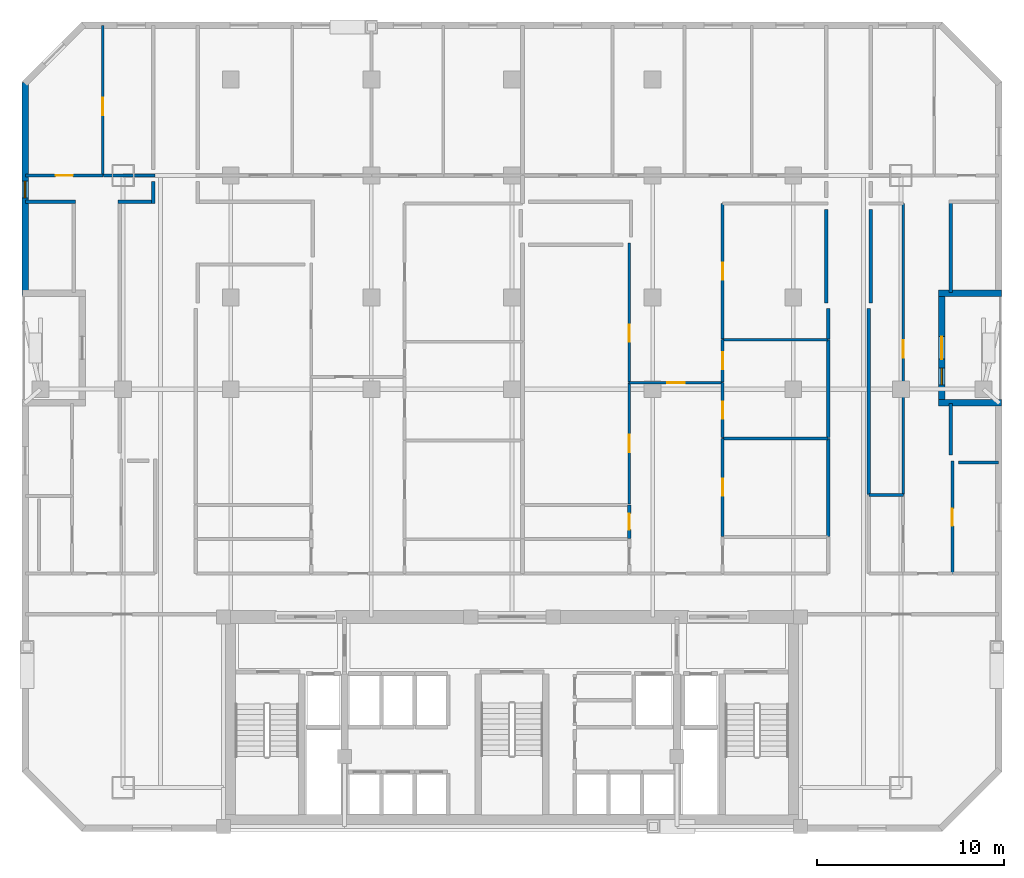
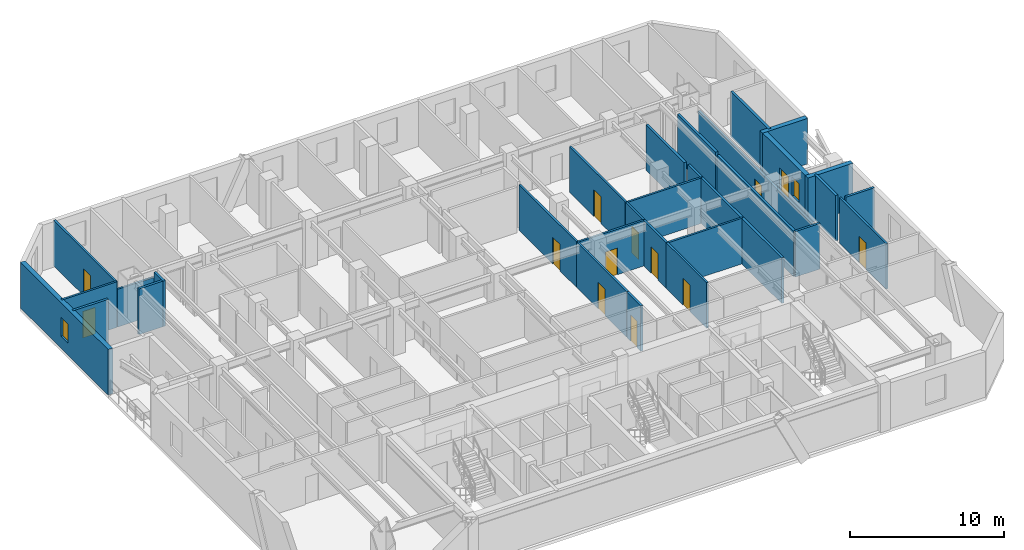
# One storey, part 6 of 10: 32 walls, 13 doors, 2 windows, 15 openings.
"""IFC4 building model written with IfcOpenShell, lengths in metres."""

import ifcopenshell
import ifcopenshell.guid

model = None  # the IFC model being written
_history = None  # IfcOwnerHistory: only IFC2X3 demands one
_inside = {}  # id of a spatial element -> (the spatial element, [elements in it])
_under = {}  # id of a project, library or spatial element -> (it, [spatial elements below it])
_declared = {}  # id of a project -> (the project, [libraries it declares])
_typed = {}  # id of a type object -> (the type object, [elements of that type])
_made_of = {}  # id of a material, layer set ... -> (it, [elements and type objects made of it])


def new_model(schema):
    """Start an empty IFC model of exactly this schema.

    Asked for "IFC4X3", IfcOpenShell would pick the latest addendum, in which some entities
    have other attributes; the version numbers below select the first issue.
    IFC2X3 requires an IfcOwnerHistory on every rooted entity: one is made here for all.
    """
    global model, _history
    if schema == "IFC4X3":
        model = ifcopenshell.file(schema_version=(4, 3, 0, 0))
    else:
        model = ifcopenshell.file(schema=schema)
    _inside.clear()
    _under.clear()
    _declared.clear()
    _typed.clear()
    _made_of.clear()
    _history = None
    if model.schema == "IFC2X3":
        org = make("IfcOrganization", Name="unknown")
        user = make(
            "IfcPersonAndOrganization",
            ThePerson=make("IfcPerson", FamilyName="unknown"),
            TheOrganization=org,
        )
        app = make(
            "IfcApplication",
            ApplicationDeveloper=org,
            Version="unknown",
            ApplicationFullName="unknown",
            ApplicationIdentifier="unknown",
        )
        _history = make(
            "IfcOwnerHistory",
            OwningUser=user,
            OwningApplication=app,
            ChangeAction="ADDED",
            CreationDate=0,
        )
    return model


def make(cls, **values):
    """One entity of the class cls with the attributes given. An attribute that is None is left unset."""
    return model.create_entity(
        cls, **{name: value for name, value in values.items() if value is not None}
    )


def rooted(cls, **values):
    """An entity with a GlobalId (a new one), such as an element, a storey or a relation."""
    return make(cls, GlobalId=ifcopenshell.guid.new(), OwnerHistory=_history, **values)


def si_unit(unit_type, name, prefix=None):
    """IfcSIUnit, for example si_unit("LENGTHUNIT", "METRE", prefix="MILLI")."""
    return make("IfcSIUnit", UnitType=unit_type, Prefix=prefix, Name=name)


def assignment(units):
    """IfcUnitAssignment: the units of a project."""
    return None if units is None else make("IfcUnitAssignment", Units=units)


def point(xyz):
    """IfcCartesianPoint."""
    return None if xyz is None else make("IfcCartesianPoint", Coordinates=xyz)


def direction(xyz):
    """IfcDirection."""
    return None if xyz is None else make("IfcDirection", DirectionRatios=xyz)


def frame(location, z_axis=None, x_axis=None):
    """IfcAxis2Placement3D, a coordinate frame: its origin and axes. An axis left out is left unset."""
    return make(
        "IfcAxis2Placement3D",
        Location=point(location),
        Axis=direction(z_axis),
        RefDirection=direction(x_axis),
    )


def frame_2d(location, x_axis=None):
    """IfcAxis2Placement2D, a coordinate frame in the plane: its origin and x axis."""
    return make(
        "IfcAxis2Placement2D", Location=point(location), RefDirection=direction(x_axis)
    )


def origin():
    """The frame at (0, 0, 0) with its axes left unset."""
    return frame((0.0, 0.0, 0.0))


def place(relative_to, where):
    """IfcLocalPlacement: puts the frame where relative to a parent placement (None: the world)."""
    return make(
        "IfcLocalPlacement", PlacementRelTo=relative_to, RelativePlacement=where
    )


def context(
    kind, dimensions, precision=None, world=None, true_north=None, identifier=None
):
    """IfcGeometricRepresentationContext, for example the 3D "Model" context."""
    return make(
        "IfcGeometricRepresentationContext",
        ContextIdentifier=identifier,
        ContextType=kind,
        CoordinateSpaceDimension=dimensions,
        Precision=precision,
        WorldCoordinateSystem=world,
        TrueNorth=true_north,
    )


def subcontext(parent, identifier, kind, view, scale=None):
    """IfcGeometricRepresentationSubContext, for example "Body" below "Model"."""
    return make(
        "IfcGeometricRepresentationSubContext",
        ContextIdentifier=identifier,
        ContextType=kind,
        ParentContext=parent,
        TargetScale=scale,
        TargetView=view,
    )


def project(units=None, contexts=None):
    """IfcProject with its units and contexts."""
    return rooted(
        "IfcProject",
        Name="project",
        RepresentationContexts=contexts,
        UnitsInContext=assignment(units),
    )


def spatial(cls, under=None, at=None, **own):
    """A site, building, storey or space (cls), placed at a placement, below another one or the project."""
    s = rooted(cls, ObjectPlacement=at, **own)
    if under is not None:
        _under.setdefault(under.id(), (under, []))[1].append(s)
    return s


def profile(cls, at=None, kind="AREA", **sizes):
    """A parametric profile (cls). Its sizes go by their IFC names, for example OverallWidth=200.0."""
    return make(cls, ProfileType=kind, Position=at, **sizes)


def rectangle(**sizes):
    """IfcRectangleProfileDef."""
    return profile("IfcRectangleProfileDef", **sizes)


def extrude(swept, where, along, depth):
    """IfcExtrudedAreaSolid: the profile swept, set in the frame where, extruded along a direction by depth."""
    return make(
        "IfcExtrudedAreaSolid",
        SweptArea=swept,
        Position=where,
        ExtrudedDirection=direction(along),
        Depth=depth,
    )


def shape(context_of_items, identifier, shape_type, items):
    """IfcShapeRepresentation: the items that make up one representation, for example the "Body"."""
    return make(
        "IfcShapeRepresentation",
        ContextOfItems=context_of_items,
        RepresentationIdentifier=identifier,
        RepresentationType=shape_type,
        Items=items,
    )


def material(Name=None, Category=None):
    """IfcMaterial."""
    return make("IfcMaterial", Name=Name, Category=Category)


def layer(
    of_material, thickness, ventilated=None, Name=None, Category=None, Priority=None
):
    """IfcMaterialLayer: one layer of a wall or slab, of a material (None: an air gap)."""
    return make(
        "IfcMaterialLayer",
        Material=of_material,
        LayerThickness=thickness,
        IsVentilated=ventilated,
        Name=Name,
        Category=Category,
        Priority=Priority,
    )


def layer_set(layers, Name=None):
    """IfcMaterialLayerSet."""
    return make("IfcMaterialLayerSet", MaterialLayers=layers, LayerSetName=Name)


def made_of(thing, what):
    """Note that an element or type object is made of a material, layer set ...; save() writes the relation."""
    if what is not None:
        _made_of.setdefault(what.id(), (what, []))[1].append(thing)
    return thing


def type_object(cls, material=None, **own):
    """A type object (cls), such as IfcWallType, which elements share."""
    return made_of(rooted(cls, **own), material)


def element(
    cls,
    number,
    at=None,
    inside=None,
    cuts=None,
    type_object=None,
    material=None,
    context=None,
    identifier="Body",
    shape_type=None,
    held_by="IfcProductDefinitionShape",
    body=None,
    shapes=None,
    **own,
):
    """One element of the class cls, such as IfcWall. Its Tag is "e" and its number.

    at: its placement. inside: the storey or other place that contains it. cuts: it is an
    opening in that element (IfcRelVoidsElement). A single representation is given by context,
    identifier, shape_type and body (its items); several are given by shapes. held_by: the class
    of the entity that holds the representations. save() writes the other relations.
    """
    e = rooted(cls, Tag="e%d" % number, ObjectPlacement=at, **own)
    if body is not None:
        shapes = [shape(context, identifier, shape_type, body)]
    if shapes is not None:
        e.Representation = make(held_by, Representations=shapes)
    if inside is not None:
        _inside.setdefault(inside.id(), (inside, []))[1].append(e)
    if cuts is not None:
        rooted(
            "IfcRelVoidsElement", RelatingBuildingElement=cuts, RelatedOpeningElement=e
        )
    if type_object is not None:
        _typed.setdefault(type_object.id(), (type_object, []))[1].append(e)
    return made_of(e, material)


def fill(opening, filler):
    """IfcRelFillsElement: the door or window that sits in an opening."""
    return rooted(
        "IfcRelFillsElement",
        RelatingOpeningElement=opening,
        RelatedBuildingElement=filler,
    )


def aggregate(whole, parts):
    """IfcRelAggregates: a whole, such as a stair, and the parts it consists of."""
    return rooted("IfcRelAggregates", RelatingObject=whole, RelatedObjects=parts)


def save(model, path):
    """Write the relations noted so far, then the file.

    IfcRelAggregates (storeys below a building ...), IfcRelContainedInSpatialStructure (elements
    in a storey), IfcRelDefinesByType, IfcRelAssociatesMaterial and IfcRelDeclares: one each for
    every whole, place, type object, material and project.
    """
    for whole, parts in _under.values():
        aggregate(whole, parts)
    for where, things in _inside.values():
        rooted(
            "IfcRelContainedInSpatialStructure",
            RelatedElements=things,
            RelatingStructure=where,
        )
    for kind, things in _typed.values():
        rooted("IfcRelDefinesByType", RelatedObjects=things, RelatingType=kind)
    for what, things in _made_of.values():
        rooted("IfcRelAssociatesMaterial", RelatedObjects=things, RelatingMaterial=what)
    for by, libraries in _declared.values():
        rooted("IfcRelDeclares", RelatingContext=by, RelatedDefinitions=libraries)
    model.write(path)


model = new_model("IFC4")

# Units and contexts
model_context = context("Model", 3, precision=1e-05, world=origin(), true_north=direction((0.0, 1.0)))
body_context = subcontext(model_context, "Body", "Model", "MODEL_VIEW")
ifc_project = project(units=[si_unit("LENGTHUNIT", "METRE"), si_unit("AREAUNIT", "SQUARE_METRE"), si_unit("VOLUMEUNIT", "CUBIC_METRE"), si_unit("PLANEANGLEUNIT", "RADIAN"), si_unit("MASSUNIT", "GRAM", prefix="KILO")], contexts=[model_context])

# Site, building, storey
site_placement = place(None, origin())
site = spatial("IfcSite", under=ifc_project, at=site_placement, CompositionType="ELEMENT")
building_placement = place(site_placement, origin())
building = spatial("IfcBuilding", under=site, at=building_placement, Name="Ventersveld Concourse Tower", CompositionType="ELEMENT")
storey_placement = place(building_placement, frame((0.0, 0.0, 104.14990234375)))
storey = spatial("IfcBuildingStorey", under=building, at=storey_placement, Name="L25", CompositionType="ELEMENT", Elevation=104.14990234375)

# Walls
ifc_material_1 = material(Name="Fire-rated autoclaved aerated masonry blockwork", Category="masonry")
ifc_layer_1 = layer(ifc_material_1, 0.179931640625)
ifc_layer_set_1 = layer_set([ifc_layer_1], Name="Fire-rated autoclaved aerated masonry blockwork")
wall_type_1 = type_object("IfcWallType", Name="WL-CORR-180", PredefinedType="PARTITIONING", material=ifc_layer_set_1)
wall_1_placement = place(storey_placement, frame((47.7900390625, 17.9921875, 0.0), z_axis=(0.0, 0.0, 1.0), x_axis=(0.0, 1.0, 0.0)))
element("IfcWall", 1, at=wall_1_placement, inside=storey, type_object=wall_type_1, Name="L25 Interior Partition SP-L25-COR-SP-L25-25NE-MEDL0", PredefinedType="PARTITIONING", context=body_context, shape_type="SweptSolid", body=[
    extrude(rectangle(XDim=9.90283203125, YDim=0.179931640625, at=frame_2d((4.951416015625, 0.0))), origin(), (0.0, 0.0, 1.0), 3.60009765625),
])
for number, where, z_axis, x_axis, name in (
    (2, (45.610107421875, 15.748291015625, 0.0), (0.0, 0.0, 1.0), (0.0, 1.0, 0.0), "L25 Interior Partition SP-L25-COR-SP-L25-25N2-DENR"),
    (3, (45.610107421875, 21.011962890625, 0.0), (0.0, 0.0, 1.0), (0.0, 1.0, 0.0), "L25 Interior Partition SP-L25-COR-SP-L25-25N2-DENS"),
):
    element("IfcWall", number, at=place(storey_placement, frame(where, z_axis=z_axis, x_axis=x_axis)), inside=storey, type_object=wall_type_1, Name=name, PredefinedType="PARTITIONING", context=body_context, shape_type="SweptSolid", body=[
        extrude(rectangle(XDim=5.233642578125, YDim=0.179931640625, at=frame_2d((2.61669921875, 0.0))), origin(), (0.0, 0.0, 1.0), 3.60009765625),
    ])
wall_2_placement = place(storey_placement, frame((45.610107421875, 26.275634765625, 0.0), z_axis=(0.0, 0.0, 1.0), x_axis=(0.0, 1.0, 0.0)))
element("IfcWall", 4, at=wall_2_placement, inside=storey, type_object=wall_type_1, Name="L25 Interior Partition SP-L25-COR-SP-L25-25N2-DENS2", PredefinedType="PARTITIONING", context=body_context, shape_type="SweptSolid", body=[
    extrude(rectangle(XDim=1.619384765625, YDim=0.179931640625, at=frame_2d((0.8095703125, 0.0))), origin(), (0.0, 0.0, 1.0), 3.60009765625),
])
wall_3_placement = place(storey_placement, frame((5.46728515625, 33.590087890625, 0.0), z_axis=(0.0, 0.0, 1.0), x_axis=(-1.0, 0.0, 0.0)))
element("IfcWall", 5, at=wall_3_placement, inside=storey, type_object=wall_type_1, Name="L25 Room Enclosure Wall SP-L25-25NW-LIV", PredefinedType="PARTITIONING", context=body_context, shape_type="SweptSolid", body=[
    extrude(rectangle(XDim=2.6572265625, YDim=0.179931640625, at=frame_2d((1.32861328125, 0.0))), origin(), (0.0, 0.0, 1.0), 3.60009765625),
])
wall_4_placement = place(storey_placement, frame((9.6201171875, 34.675048828125, 0.0), z_axis=(0.0, 0.0, 1.0), x_axis=(0.0, -1.0, 0.0)))
element("IfcWall", 6, at=wall_4_placement, inside=storey, type_object=wall_type_1, Name="L25 Room Enclosure Wall SP-L25-25NW-LIV", PredefinedType="PARTITIONING", context=body_context, shape_type="SweptSolid", body=[
    extrude(rectangle(XDim=1.179931640625, YDim=0.179931640625, at=frame_2d((0.58984375, 0.0))), origin(), (0.0, 0.0, 1.0), 3.60009765625),
])
wall_5_placement = place(storey_placement, frame((9.715087890625, 33.590087890625, 0.0), z_axis=(0.0, 0.0, 1.0), x_axis=(-1.0, 0.0, 0.0)))
element("IfcWall", 7, at=wall_5_placement, inside=storey, type_object=wall_type_1, Name="L25 Room Enclosure Wall SP-L25-25NW-LIV", PredefinedType="PARTITIONING", context=body_context, shape_type="SweptSolid", body=[
    extrude(rectangle(XDim=1.99169921875, YDim=0.179931640625, at=frame_2d((0.995849609375, 0.0))), origin(), (0.0, 0.0, 1.0), 3.60009765625),
])
wall_6_placement = place(storey_placement, frame((52.153076171875, 33.68505859375, 0.0), z_axis=(0.0, 0.0, 1.0), x_axis=(0.0, -1.0, 0.0)))
element("IfcWall", 8, at=wall_6_placement, inside=storey, type_object=wall_type_1, Name="L25 Room Enclosure Wall SP-L25-25NE-LIV", PredefinedType="PARTITIONING", context=body_context, shape_type="SweptSolid", body=[
    extrude(rectangle(XDim=4.925048828125, YDim=0.179931640625, at=frame_2d((2.46240234375, 0.0))), origin(), (0.0, 0.0, 1.0), 3.60009765625),
])
wall_7_placement = place(storey_placement, frame((52.153076171875, 22.840087890625, 0.0), z_axis=(0.0, 0.0, 1.0), x_axis=(0.0, -1.0, 0.0)))
element("IfcWall", 9, at=wall_7_placement, inside=storey, type_object=wall_type_1, Name="L25 Room Enclosure Wall SP-L25-25NE-LIV", PredefinedType="PARTITIONING", context=body_context, shape_type="SweptSolid", body=[
    extrude(rectangle(XDim=2.741455078125, YDim=0.179931640625, at=frame_2d((1.37060546875, 0.0))), origin(), (0.0, 0.0, 1.0), 3.60009765625),
])
wall_8_placement = place(storey_placement, frame((47.8798828125, 28.2099609375, 0.0), z_axis=(0.0, 0.0, 1.0), x_axis=(0.0, 1.0, 0.0)))
element("IfcWall", 10, at=wall_8_placement, inside=storey, type_object=wall_type_1, Name="L25 Room Enclosure Wall SP-L25-25NE-MEDL0", PredefinedType="PARTITIONING", context=body_context, shape_type="SweptSolid", body=[
    extrude(rectangle(XDim=4.965087890625, YDim=0.179931640625, at=frame_2d((2.482421875, 0.0))), origin(), (0.0, 0.0, 1.0), 3.60009765625),
])
wall_9_placement = place(storey_placement, frame((52.568115234375, 19.688720703125, 0.0), z_axis=(0.0, 0.0, 1.0), x_axis=(1.0, 0.0, 0.0)))
element("IfcWall", 11, at=wall_9_placement, inside=storey, type_object=wall_type_1, Name="L25 Room Enclosure Wall SP-L25-25NE-KIT", PredefinedType="PARTITIONING", context=body_context, shape_type="SweptSolid", body=[
    extrude(rectangle(XDim=2.121826171875, YDim=0.179931640625, at=frame_2d((1.06103515625, 0.0))), origin(), (0.0, 0.0, 1.0), 3.60009765625),
])
wall_10_placement = place(storey_placement, frame((45.52001953125, 33.175048828125, 0.0), z_axis=(0.0, 0.0, 1.0), x_axis=(0.0, -1.0, 0.0)))
element("IfcWall", 12, at=wall_10_placement, inside=storey, type_object=wall_type_1, Name="L25 Room Enclosure Wall SP-L25-25N2-DENS2", PredefinedType="PARTITIONING", context=body_context, shape_type="SweptSolid", body=[
    extrude(rectangle(XDim=4.965087890625, YDim=0.179931640625, at=frame_2d((2.482421875, 0.0))), origin(), (0.0, 0.0, 1.0), 3.60009765625),
])

# Wall, opening, door
ifc_material_2 = material(Name="Autoclaved aerated masonry blockwork", Category="masonry")
ifc_layer_2 = layer(ifc_material_2, 0.14990234375)
ifc_layer_set_2 = layer_set([ifc_layer_2], Name="Autoclaved aerated masonry blockwork")
wall_type_2 = type_object("IfcWallType", Name="WL-INT-150", PredefinedType="PARTITIONING", material=ifc_layer_set_2)
wall_11_placement = place(storey_placement, frame((2.81005859375, 35.0, 0.0), z_axis=(0.0, 0.0, 1.0), x_axis=(1.0, 0.0, 0.0)))
wall_11 = element("IfcWall", 13, at=wall_11_placement, inside=storey, type_object=wall_type_2, Name="L25 Interior Partition SP-L25-25NW-LIV-SP-L25-25NW-BR1", PredefinedType="PARTITIONING", context=body_context, shape_type="SweptSolid", body=[
    extrude(rectangle(XDim=4.113037109375, YDim=0.14990234375, at=frame_2d((2.056640625, 0.0))), origin(), (0.0, 0.0, 1.0), 3.60009765625),
])
opening_1_placement = place(wall_11_placement, frame((1.5966796875, 0.0, 0.0)))
opening_1 = element("IfcOpeningElement", 14, at=opening_1_placement, cuts=wall_11, Name="Opening ID1", PredefinedType="OPENING", context=body_context, shape_type="SweptSolid", body=[
    extrude(rectangle(XDim=0.919921875, YDim=2.10009765625, at=frame_2d((0.4599609375, 1.050048828125))), frame((0.0, 0.0849609375, 0.0), z_axis=(0.0, -1.0, 0.0), x_axis=(1.0, 0.0, 0.0)), (0.0, 0.0, 1.0), 0.169921875),
])
ifc_material_3 = material(Name="Solid-core hardwood veneer timber", Category="wood")
door_type_1 = type_object("IfcDoorType", Name="DR-ROOM-092", OperationType="NOTDEFINED", PredefinedType="DOOR", material=ifc_material_3)
door_1_placement = place(opening_1_placement, origin())
door_1 = element("IfcDoor", 15, at=door_1_placement, inside=storey, type_object=door_type_1, Name="L25 Interior Door SP-L25-25NW-LIV to SP-L25-25NW-BR1 (D-L25-1229)", OperationType="SINGLE_SWING_LEFT", OverallHeight=2.10009765625, OverallWidth=0.919921875, PredefinedType="DOOR", context=body_context, shape_type="SweptSolid", body=[
    extrude(rectangle(XDim=0.919921875, YDim=2.10009765625, at=frame_2d((0.4599609375, 1.050048828125))), frame((0.0, 0.02490234375, 0.0), z_axis=(0.0, -1.0, 0.0), x_axis=(1.0, 0.0, 0.0)), (0.0, 0.0, 1.0), 0.050048828125),
])
fill(opening_1, door_1)

# Wall
wall_12_placement = place(storey_placement, frame((6.953125, 35.0, 0.0), z_axis=(0.0, 0.0, 1.0), x_axis=(1.0, 0.0, 0.0)))
element("IfcWall", 16, at=wall_12_placement, inside=storey, type_object=wall_type_2, Name="L25 Interior Partition SP-L25-25NW-LIV-SP-L25-25NW-BR2", PredefinedType="PARTITIONING", context=body_context, shape_type="SweptSolid", body=[
    extrude(rectangle(XDim=2.761962890625, YDim=0.14990234375, at=frame_2d((1.380859375, 0.0))), origin(), (0.0, 0.0, 1.0), 2.98291015625),
])

# Wall, opening, door
wall_13_placement = place(storey_placement, frame((6.918212890625, 34.9951171875, 0.0), z_axis=(0.0, 0.0, 1.0), x_axis=(0.0, 1.0, 0.0)))
wall_13 = element("IfcWall", 17, at=wall_13_placement, inside=storey, type_object=wall_type_2, Name="L25 Interior Partition SP-L25-25NW-BR1-SP-L25-25NW-BR2", PredefinedType="PARTITIONING", context=body_context, shape_type="SweptSolid", body=[
    extrude(rectangle(XDim=7.994873046875, YDim=0.14990234375, at=frame_2d((3.99755859375, 0.0))), origin(), (0.0, 0.0, 1.0), 3.60009765625),
])
opening_2_placement = place(wall_13_placement, frame((3.22998046875, 0.0, 0.0)))
opening_2 = element("IfcOpeningElement", 18, at=opening_2_placement, cuts=wall_13, Name="Opening ID1", PredefinedType="OPENING", context=body_context, shape_type="SweptSolid", body=[
    extrude(rectangle(XDim=0.919921875, YDim=2.10009765625, at=frame_2d((0.4599609375, 1.050048828125))), frame((0.0, 0.0849609375, 0.0), z_axis=(0.0, -1.0, 0.0), x_axis=(1.0, 0.0, 0.0)), (0.0, 0.0, 1.0), 0.169921875),
])
door_2_placement = place(opening_2_placement, origin())
door_2 = element("IfcDoor", 19, at=door_2_placement, inside=storey, type_object=door_type_1, Name="L25 Interior Door Flat 25NW Bedroom 2 (D-L25-1264)", OperationType="SINGLE_SWING_LEFT", OverallHeight=2.10009765625, OverallWidth=0.919921875, PredefinedType="DOOR", context=body_context, shape_type="SweptSolid", body=[
    extrude(rectangle(XDim=0.919921875, YDim=2.10009765625, at=frame_2d((0.4599609375, 1.050048828125))), frame((0.0, 0.02490234375, 0.0), z_axis=(0.0, -1.0, 0.0), x_axis=(1.0, 0.0, 0.0)), (0.0, 0.0, 1.0), 0.050048828125),
])
fill(opening_2, door_2)

wall_14_placement = place(storey_placement, frame((49.616943359375, 17.9921875, 0.0), z_axis=(0.0, 0.0, 1.0), x_axis=(0.0, 1.0, 0.0)))
wall_14 = element("IfcWall", 20, at=wall_14_placement, inside=storey, type_object=wall_type_2, Name="L25 Interior Partition SP-L25-25NE-LIV-SP-L25-25NE-MEDL0", PredefinedType="PARTITIONING", context=body_context, shape_type="SweptSolid", body=[
    extrude(rectangle(XDim=15.5126953125, YDim=0.14990234375, at=frame_2d((7.75634765625, 0.0))), origin(), (0.0, 0.0, 1.0), 3.0556640625),
])
opening_3_placement = place(wall_14_placement, frame((7.29638671875, 0.0, 0.0)))
opening_3 = element("IfcOpeningElement", 21, at=opening_3_placement, cuts=wall_14, Name="Opening ID1", PredefinedType="OPENING", context=body_context, shape_type="SweptSolid", body=[
    extrude(rectangle(XDim=0.919921875, YDim=2.10009765625, at=frame_2d((0.4599609375, 1.050048828125))), frame((0.0, 0.0849609375, 0.0), z_axis=(0.0, -1.0, 0.0), x_axis=(1.0, 0.0, 0.0)), (0.0, 0.0, 1.0), 0.169921875),
])
door_3_placement = place(opening_3_placement, origin())
door_3 = element("IfcDoor", 22, at=door_3_placement, inside=storey, type_object=door_type_1, Name="L25 Interior Door SP-L25-25NE-LIV to SP-L25-25NE-MEDL0 (D-L25-1232)", OperationType="SINGLE_SWING_RIGHT", OverallHeight=2.10009765625, OverallWidth=0.919921875, PredefinedType="DOOR", context=body_context, shape_type="SweptSolid", body=[
    extrude(rectangle(XDim=0.919921875, YDim=2.10009765625, at=frame_2d((0.4599609375, 1.050048828125))), frame((0.0, 0.02490234375, 0.0), z_axis=(0.0, -1.0, 0.0), x_axis=(1.0, 0.0, 0.0)), (0.0, 0.0, 1.0), 0.050048828125),
])
fill(opening_3, door_3)

wall_15_placement = place(storey_placement, frame((52.242919921875, 13.764892578125, 0.0), z_axis=(0.0, 0.0, 1.0), x_axis=(0.0, 1.0, 0.0)))
wall_15 = element("IfcWall", 23, at=wall_15_placement, inside=storey, type_object=wall_type_2, Name="L25 Interior Partition SP-L25-25NE-LIV-SP-L25-25NE-KIT", PredefinedType="PARTITIONING", context=body_context, shape_type="SweptSolid", body=[
    extrude(rectangle(XDim=6.018798828125, YDim=0.14990234375, at=frame_2d((3.00927734375, 0.0))), origin(), (0.0, 0.0, 1.0), 3.60009765625),
])
opening_4_placement = place(wall_15_placement, frame((2.54931640625, 0.0, 0.0)))
opening_4 = element("IfcOpeningElement", 24, at=opening_4_placement, cuts=wall_15, Name="Opening ID1", PredefinedType="OPENING", context=body_context, shape_type="SweptSolid", body=[
    extrude(rectangle(XDim=0.919921875, YDim=2.10009765625, at=frame_2d((0.4599609375, 1.050048828125))), frame((0.0, 0.0849609375, 0.0), z_axis=(0.0, -1.0, 0.0), x_axis=(1.0, 0.0, 0.0)), (0.0, 0.0, 1.0), 0.169921875),
])
door_4_placement = place(opening_4_placement, origin())
door_4 = element("IfcDoor", 25, at=door_4_placement, inside=storey, type_object=door_type_1, Name="L25 Interior Door SP-L25-25NE-LIV to SP-L25-25NE-KIT (D-L25-1233)", OperationType="SINGLE_SWING_LEFT", OverallHeight=2.10009765625, OverallWidth=0.919921875, PredefinedType="DOOR", context=body_context, shape_type="SweptSolid", body=[
    extrude(rectangle(XDim=0.919921875, YDim=2.10009765625, at=frame_2d((0.4599609375, 1.050048828125))), frame((0.0, 0.02490234375, 0.0), z_axis=(0.0, -1.0, 0.0), x_axis=(1.0, 0.0, 0.0)), (0.0, 0.0, 1.0), 0.050048828125),
])
fill(opening_4, door_4)

wall_16_placement = place(storey_placement, frame((35.00048828125, 23.9453125, 0.0), z_axis=(0.0, 0.0, 1.0), x_axis=(1.0, 0.0, 0.0)))
wall_16 = element("IfcWall", 26, at=wall_16_placement, inside=storey, type_object=wall_type_2, Name="L25 Interior Partition SP-L25-25N2-FOY-SP-L25-25N2-LIV", PredefinedType="PARTITIONING", context=body_context, shape_type="SweptSolid", body=[
    extrude(rectangle(XDim=4.989990234375, YDim=0.14990234375, at=frame_2d((2.4951171875, 0.0))), origin(), (0.0, 0.0, 1.0), 3.60009765625),
])
opening_5_placement = place(wall_16_placement, frame((2.034912109375, 0.0, 0.0)))
opening_5 = element("IfcOpeningElement", 27, at=opening_5_placement, cuts=wall_16, Name="Opening ID1", PredefinedType="OPENING", context=body_context, shape_type="SweptSolid", body=[
    extrude(rectangle(XDim=0.919921875, YDim=2.10009765625, at=frame_2d((0.4599609375, 1.050048828125))), frame((0.0, 0.0849609375, 0.0), z_axis=(0.0, -1.0, 0.0), x_axis=(1.0, 0.0, 0.0)), (0.0, 0.0, 1.0), 0.169921875),
])
door_5_placement = place(opening_5_placement, origin())
door_5 = element("IfcDoor", 28, at=door_5_placement, inside=storey, type_object=door_type_1, Name="L25 Interior Door SP-L25-25N2-FOY to SP-L25-25N2-LIV (D-L25-1250)", OperationType="SINGLE_SWING_RIGHT", OverallHeight=2.10009765625, OverallWidth=0.919921875, PredefinedType="DOOR", context=body_context, shape_type="SweptSolid", body=[
    extrude(rectangle(XDim=0.919921875, YDim=2.10009765625, at=frame_2d((0.4599609375, 1.050048828125))), frame((0.0, 0.02490234375, 0.0), z_axis=(0.0, -1.0, 0.0), x_axis=(1.0, 0.0, 0.0)), (0.0, 0.0, 1.0), 0.050048828125),
])
fill(opening_5, door_5)

wall_17_placement = place(storey_placement, frame((35.005615234375, 17.465087890625, 0.0), z_axis=(0.0, 0.0, 1.0), x_axis=(0.0, 1.0, 0.0)))
wall_17 = element("IfcWall", 29, at=wall_17_placement, inside=storey, type_object=wall_type_2, Name="L25 Interior Partition SP-L25-25N2-FOY-SP-L25-25N2-DENL", PredefinedType="PARTITIONING", context=body_context, shape_type="SweptSolid", body=[
    extrude(rectangle(XDim=6.485107421875, YDim=0.14990234375, at=frame_2d((3.24267578125, 0.0))), origin(), (0.0, 0.0, 1.0), 3.60009765625),
])
opening_6_placement = place(wall_17_placement, frame((2.78271484375, 0.0, 0.0)))
opening_6 = element("IfcOpeningElement", 30, at=opening_6_placement, cuts=wall_17, Name="Opening ID1", PredefinedType="OPENING", context=body_context, shape_type="SweptSolid", body=[
    extrude(rectangle(XDim=0.919921875, YDim=2.10009765625, at=frame_2d((0.4599609375, 1.050048828125))), frame((0.0, 0.0849609375, 0.0), z_axis=(0.0, -1.0, 0.0), x_axis=(1.0, 0.0, 0.0)), (0.0, 0.0, 1.0), 0.169921875),
])
door_6_placement = place(opening_6_placement, origin())
door_6 = element("IfcDoor", 31, at=door_6_placement, inside=storey, type_object=door_type_1, Name="L25 Interior Door SP-L25-25N2-FOY to SP-L25-25N2-DENL (D-L25-1253)", OperationType="SINGLE_SWING_LEFT", OverallHeight=2.10009765625, OverallWidth=0.919921875, PredefinedType="DOOR", context=body_context, shape_type="SweptSolid", body=[
    extrude(rectangle(XDim=0.919921875, YDim=2.10009765625, at=frame_2d((0.4599609375, 1.050048828125))), frame((0.0, 0.02490234375, 0.0), z_axis=(0.0, -1.0, 0.0), x_axis=(1.0, 0.0, 0.0)), (0.0, 0.0, 1.0), 0.050048828125),
])
fill(opening_6, door_6)

wall_18_placement = place(storey_placement, frame((39.985595703125, 15.748291015625, 0.0), z_axis=(0.0, 0.0, 1.0), x_axis=(0.0, 1.0, 0.0)))
wall_18 = element("IfcWall", 32, at=wall_18_placement, inside=storey, type_object=wall_type_2, Name="L25 Interior Partition SP-L25-25N2-FOY-SP-L25-25N2-DENR", PredefinedType="PARTITIONING", context=body_context, shape_type="SweptSolid", body=[
    extrude(rectangle(XDim=5.233642578125, YDim=0.14990234375, at=frame_2d((2.61669921875, 0.0))), origin(), (0.0, 0.0, 1.0), 3.60009765625),
])
opening_7_placement = place(wall_18_placement, frame((2.156982421875, 0.0, 0.0)))
opening_7 = element("IfcOpeningElement", 33, at=opening_7_placement, cuts=wall_18, Name="Opening ID1", PredefinedType="OPENING", context=body_context, shape_type="SweptSolid", body=[
    extrude(rectangle(XDim=0.919921875, YDim=2.10009765625, at=frame_2d((0.4599609375, 1.050048828125))), frame((0.0, 0.0849609375, 0.0), z_axis=(0.0, -1.0, 0.0), x_axis=(1.0, 0.0, 0.0)), (0.0, 0.0, 1.0), 0.169921875),
])
door_7_placement = place(opening_7_placement, origin())
door_7 = element("IfcDoor", 34, at=door_7_placement, inside=storey, type_object=door_type_1, Name="L25 Interior Door SP-L25-25N2-FOY to SP-L25-25N2-DENR (D-L25-1255)", OperationType="SINGLE_SWING_LEFT", OverallHeight=2.10009765625, OverallWidth=0.919921875, PredefinedType="DOOR", context=body_context, shape_type="SweptSolid", body=[
    extrude(rectangle(XDim=0.919921875, YDim=2.10009765625, at=frame_2d((0.4599609375, 1.050048828125))), frame((0.0, 0.02490234375, 0.0), z_axis=(0.0, -1.0, 0.0), x_axis=(1.0, 0.0, 0.0)), (0.0, 0.0, 1.0), 0.050048828125),
])
fill(opening_7, door_7)

wall_19_placement = place(storey_placement, frame((39.985595703125, 21.011962890625, 0.0), z_axis=(0.0, 0.0, 1.0), x_axis=(0.0, 1.0, 0.0)))
wall_19 = element("IfcWall", 35, at=wall_19_placement, inside=storey, type_object=wall_type_2, Name="L25 Interior Partition SP-L25-25N2-FOY-SP-L25-25N2-DENS", PredefinedType="PARTITIONING", context=body_context, shape_type="SweptSolid", body=[
    extrude(rectangle(XDim=2.938232421875, YDim=0.14990234375, at=frame_2d((1.46923828125, 0.0))), origin(), (0.0, 0.0, 1.0), 3.60009765625),
])
opening_8_placement = place(wall_19_placement, frame((1.009033203125, 0.0, 0.0)))
opening_8 = element("IfcOpeningElement", 36, at=opening_8_placement, cuts=wall_19, Name="Opening ID1", PredefinedType="OPENING", context=body_context, shape_type="SweptSolid", body=[
    extrude(rectangle(XDim=0.919921875, YDim=2.10009765625, at=frame_2d((0.4599609375, 1.050048828125))), frame((0.0, 0.0849609375, 0.0), z_axis=(0.0, -1.0, 0.0), x_axis=(1.0, 0.0, 0.0)), (0.0, 0.0, 1.0), 0.169921875),
])
door_8_placement = place(opening_8_placement, origin())
door_8 = element("IfcDoor", 37, at=door_8_placement, inside=storey, type_object=door_type_1, Name="L25 Interior Door SP-L25-25N2-FOY to SP-L25-25N2-DENS (D-L25-1256)", OperationType="SINGLE_SWING_RIGHT", OverallHeight=2.10009765625, OverallWidth=0.919921875, PredefinedType="DOOR", context=body_context, shape_type="SweptSolid", body=[
    extrude(rectangle(XDim=0.919921875, YDim=2.10009765625, at=frame_2d((0.4599609375, 1.050048828125))), frame((0.0, 0.02490234375, 0.0), z_axis=(0.0, -1.0, 0.0), x_axis=(1.0, 0.0, 0.0)), (0.0, 0.0, 1.0), 0.050048828125),
])
fill(opening_8, door_8)

wall_20_placement = place(storey_placement, frame((35.005615234375, 23.980224609375, 0.0), z_axis=(0.0, 0.0, 1.0), x_axis=(0.0, 1.0, 0.0)))
wall_20 = element("IfcWall", 38, at=wall_20_placement, inside=storey, type_object=wall_type_2, Name="L25 Interior Partition SP-L25-25N2-LIV-SP-L25-25N2-DENL", PredefinedType="PARTITIONING", context=body_context, shape_type="SweptSolid", body=[
    extrude(rectangle(XDim=7.424072265625, YDim=0.14990234375, at=frame_2d((3.7119140625, 0.0))), origin(), (0.0, 0.0, 1.0), 3.60009765625),
])
opening_9_placement = place(wall_20_placement, frame((2.138427734375, 0.0, 0.0)))
opening_9 = element("IfcOpeningElement", 39, at=opening_9_placement, cuts=wall_20, Name="Opening ID1", PredefinedType="OPENING", context=body_context, shape_type="SweptSolid", body=[
    extrude(rectangle(XDim=0.919921875, YDim=2.10009765625, at=frame_2d((0.4599609375, 1.050048828125))), frame((0.0, 0.0849609375, 0.0), z_axis=(0.0, -1.0, 0.0), x_axis=(1.0, 0.0, 0.0)), (0.0, 0.0, 1.0), 0.169921875),
])
door_9_placement = place(opening_9_placement, origin())
door_9 = element("IfcDoor", 40, at=door_9_placement, inside=storey, type_object=door_type_1, Name="L25 Interior Door SP-L25-25N2-LIV to SP-L25-25N2-DENL (D-L25-1257)", OperationType="SINGLE_SWING_LEFT", OverallHeight=2.10009765625, OverallWidth=0.919921875, PredefinedType="DOOR", context=body_context, shape_type="SweptSolid", body=[
    extrude(rectangle(XDim=0.919921875, YDim=2.10009765625, at=frame_2d((0.4599609375, 1.050048828125))), frame((0.0, 0.02490234375, 0.0), z_axis=(0.0, -1.0, 0.0), x_axis=(1.0, 0.0, 0.0)), (0.0, 0.0, 1.0), 0.050048828125),
])
fill(opening_9, door_9)

wall_21_placement = place(storey_placement, frame((39.985595703125, 23.980224609375, 0.0), z_axis=(0.0, 0.0, 1.0), x_axis=(0.0, 1.0, 0.0)))
wall_21 = element("IfcWall", 41, at=wall_21_placement, inside=storey, type_object=wall_type_2, Name="L25 Interior Partition SP-L25-25N2-LIV-SP-L25-25N2-DENS", PredefinedType="PARTITIONING", context=body_context, shape_type="SweptSolid", body=[
    extrude(rectangle(XDim=2.265380859375, YDim=0.14990234375, at=frame_2d((1.1328125, 0.0))), origin(), (0.0, 0.0, 1.0), 3.60009765625),
])
opening_10_placement = place(wall_21_placement, frame((0.672607421875, 0.0, 0.0)))
opening_10 = element("IfcOpeningElement", 42, at=opening_10_placement, cuts=wall_21, Name="Opening ID1", PredefinedType="OPENING", context=body_context, shape_type="SweptSolid", body=[
    extrude(rectangle(XDim=0.919921875, YDim=2.10009765625, at=frame_2d((0.4599609375, 1.050048828125))), frame((0.0, 0.0849609375, 0.0), z_axis=(0.0, -1.0, 0.0), x_axis=(1.0, 0.0, 0.0)), (0.0, 0.0, 1.0), 0.169921875),
])
door_10_placement = place(opening_10_placement, origin())
door_10 = element("IfcDoor", 43, at=door_10_placement, inside=storey, type_object=door_type_1, Name="L25 Interior Door SP-L25-25N2-LIV to SP-L25-25N2-DENS (D-L25-1258)", OperationType="SINGLE_SWING_RIGHT", OverallHeight=2.10009765625, OverallWidth=0.919921875, PredefinedType="DOOR", context=body_context, shape_type="SweptSolid", body=[
    extrude(rectangle(XDim=0.919921875, YDim=2.10009765625, at=frame_2d((0.4599609375, 1.050048828125))), frame((0.0, 0.02490234375, 0.0), z_axis=(0.0, -1.0, 0.0), x_axis=(1.0, 0.0, 0.0)), (0.0, 0.0, 1.0), 0.050048828125),
])
fill(opening_10, door_10)

wall_22_placement = place(storey_placement, frame((39.985595703125, 26.275634765625, 0.0), z_axis=(0.0, 0.0, 1.0), x_axis=(0.0, 1.0, 0.0)))
wall_22 = element("IfcWall", 44, at=wall_22_placement, inside=storey, type_object=wall_type_2, Name="L25 Interior Partition SP-L25-25N2-LIV-SP-L25-25N2-DENS2", PredefinedType="PARTITIONING", context=body_context, shape_type="SweptSolid", body=[
    extrude(rectangle(XDim=7.229248046875, YDim=0.14990234375, at=frame_2d((3.61474609375, 0.0))), origin(), (0.0, 0.0, 1.0), 3.60009765625),
])
opening_11_placement = place(wall_22_placement, frame((3.15478515625, 0.0, 0.0)))
opening_11 = element("IfcOpeningElement", 45, at=opening_11_placement, cuts=wall_22, Name="Opening ID1", PredefinedType="OPENING", context=body_context, shape_type="SweptSolid", body=[
    extrude(rectangle(XDim=0.919921875, YDim=2.10009765625, at=frame_2d((0.4599609375, 1.050048828125))), frame((0.0, 0.0849609375, 0.0), z_axis=(0.0, -1.0, 0.0), x_axis=(1.0, 0.0, 0.0)), (0.0, 0.0, 1.0), 0.169921875),
])
door_11_placement = place(opening_11_placement, origin())
door_11 = element("IfcDoor", 46, at=door_11_placement, inside=storey, type_object=door_type_1, Name="L25 Interior Door SP-L25-25N2-LIV to SP-L25-25N2-DENS2 (D-L25-1259)", OperationType="SINGLE_SWING_LEFT", OverallHeight=2.10009765625, OverallWidth=0.919921875, PredefinedType="DOOR", context=body_context, shape_type="SweptSolid", body=[
    extrude(rectangle(XDim=0.919921875, YDim=2.10009765625, at=frame_2d((0.4599609375, 1.050048828125))), frame((0.0, 0.02490234375, 0.0), z_axis=(0.0, -1.0, 0.0), x_axis=(1.0, 0.0, 0.0)), (0.0, 0.0, 1.0), 0.050048828125),
])
fill(opening_11, door_11)

# Walls
for number, where, z_axis, x_axis, name in (
    (47, (39.980712890625, 20.97705078125, 0.0), (0.0, 0.0, 1.0), (1.0, 0.0, 0.0), "L25 Interior Partition SP-L25-25N2-DENR-SP-L25-25N2-DENS"),
    (48, (39.980712890625, 26.24072265625, 0.0), (0.0, 0.0, 1.0), (1.0, 0.0, 0.0), "L25 Interior Partition SP-L25-25N2-DENS-SP-L25-25N2-DENS2"),
):
    element("IfcWall", number, at=place(storey_placement, frame(where, z_axis=z_axis, x_axis=x_axis)), inside=storey, type_object=wall_type_2, Name=name, PredefinedType="PARTITIONING", context=body_context, shape_type="SweptSolid", body=[
        extrude(rectangle(XDim=5.63427734375, YDim=0.14990234375, at=frame_2d((2.817138671875, 0.0))), origin(), (0.0, 0.0, 1.0), 3.60009765625),
    ])
ifc_material_4 = material(Name="Precast concrete C45/55", Category="concrete")
ifc_layer_3 = layer(ifc_material_4, 0.35009765625)
ifc_layer_set_3 = layer_set([ifc_layer_3], Name="Precast concrete C45/55")
wall_type_3 = type_object("IfcWallType", Name="WL-PREC-350", PredefinedType="SOLIDWALL", material=ifc_layer_set_3)
wall_23_placement = place(storey_placement, frame((54.860107421875, 22.875, 0.0), z_axis=(0.0, 0.0, 1.0), x_axis=(-1.0, 0.0, 0.0)))
element("IfcWall", 49, at=wall_23_placement, inside=storey, type_object=wall_type_3, Name="L25 Highveld Precast Facade Wall E04", PredefinedType="SOLIDWALL", context=body_context, shape_type="SweptSolid", body=[
    extrude(rectangle(XDim=3.360107421875, YDim=0.35009765625, at=frame_2d((1.68017578125, 0.0))), origin(), (0.0, 0.0, 1.0), 3.60009765625),
])

# Wall, openings, door, window
wall_24_placement = place(storey_placement, frame((51.675048828125, 23.050048828125, 0.0), z_axis=(0.0, 0.0, 1.0), x_axis=(0.0, 1.0, 0.0)))
wall_24 = element("IfcWall", 50, at=wall_24_placement, inside=storey, type_object=wall_type_3, Name="L25 Highveld Precast Facade Wall E05", PredefinedType="SOLIDWALL", context=body_context, shape_type="SweptSolid", body=[
    extrude(rectangle(XDim=5.5, YDim=0.35009765625, at=frame_2d((2.75, 0.0))), origin(), (0.0, 0.0, 1.0), 3.60009765625),
])
opening_12_placement = place(wall_24_placement, frame((2.14990234375, 0.0, 0.0)))
opening_12 = element("IfcOpeningElement", 51, at=opening_12_placement, cuts=wall_24, Name="Opening TD1", PredefinedType="OPENING", context=body_context, shape_type="SweptSolid", body=[
    extrude(rectangle(XDim=1.199951171875, YDim=2.199951171875, at=frame_2d((0.60009765625, 1.10009765625))), frame((0.0, 0.18505859375, 0.0), z_axis=(0.0, -1.0, 0.0), x_axis=(1.0, 0.0, 0.0)), (0.0, 0.0, 1.0), 0.3701171875),
])
opening_13_placement = place(wall_24_placement, frame((0.780029296875, 0.0, 0.949951171875)))
opening_13 = element("IfcOpeningElement", 52, at=opening_13_placement, cuts=wall_24, Name="Opening W4", PredefinedType="OPENING", context=body_context, shape_type="SweptSolid", body=[
    extrude(rectangle(XDim=0.89990234375, YDim=1.5, at=frame_2d((0.449951171875, 0.75))), frame((0.0, 0.18505859375, 0.0), z_axis=(0.0, -1.0, 0.0), x_axis=(1.0, 0.0, 0.0)), (0.0, 0.0, 1.0), 0.3701171875),
])
ifc_material_5 = material(Name="Anodised aluminium EN AW-6063-T6", Category="aluminium")
door_type_2 = type_object("IfcDoorType", Name="DR-TERR-120", OperationType="NOTDEFINED", PredefinedType="DOOR", material=ifc_material_5)
door_12_placement = place(opening_12_placement, frame((1.199951171875, 0.0, 0.0), z_axis=(0.0, 0.0, 1.0), x_axis=(-1.0, 0.0, 0.0)))
door_12 = element("IfcDoor", 53, at=door_12_placement, inside=storey, type_object=door_type_2, Name="L25 Stepped Valley Terrace Door TD-L25-02", OperationType="SINGLE_SWING_LEFT", OverallHeight=2.199951171875, OverallWidth=1.199951171875, PredefinedType="DOOR", context=body_context, shape_type="SweptSolid", body=[
    extrude(rectangle(XDim=1.199951171875, YDim=2.199951171875, at=frame_2d((0.60009765625, 1.10009765625))), frame((0.0, 0.02490234375, 0.0), z_axis=(0.0, -1.0, 0.0), x_axis=(1.0, 0.0, 0.0)), (0.0, 0.0, 1.0), 0.050048828125),
])
fill(opening_12, door_12)
ifc_material_6 = material(Name="Tempered acoustic Low-E IGU", Category="glass")
window_type = type_object("IfcWindowType", Name="WIN-090x150", PartitioningType="SINGLE_PANEL", PredefinedType="WINDOW", material=ifc_material_6)
window_1_placement = place(opening_13_placement, origin())
window_1 = element("IfcWindow", 54, at=window_1_placement, inside=storey, type_object=window_type, Name="L25 Punched Low-E Window W-0293", OverallHeight=1.5, OverallWidth=0.89990234375, PartitioningType="SINGLE_PANEL", PredefinedType="WINDOW", context=body_context, shape_type="SweptSolid", body=[
    extrude(rectangle(XDim=0.89990234375, YDim=1.5, at=frame_2d((0.449951171875, 0.75))), frame((0.0, 0.030029296875, 0.0), z_axis=(0.0, -1.0, 0.0), x_axis=(1.0, 0.0, 0.0)), (0.0, 0.0, 1.0), 0.06005859375),
])
fill(opening_13, window_1)

# Wall
wall_25_placement = place(storey_placement, frame((51.5, 28.72509765625, 0.0), z_axis=(0.0, 0.0, 1.0), x_axis=(1.0, 0.0, 0.0)))
element("IfcWall", 55, at=wall_25_placement, inside=storey, type_object=wall_type_3, Name="L25 Highveld Precast Facade Wall E06", PredefinedType="SOLIDWALL", context=body_context, shape_type="SweptSolid", body=[
    extrude(rectangle(XDim=3.360107421875, YDim=0.35009765625, at=frame_2d((1.68017578125, 0.0))), origin(), (0.0, 0.0, 1.0), 3.60009765625),
])

# Wall, opening, window
wall_26_placement = place(storey_placement, frame((2.77490234375, 39.9599609375, 0.0), z_axis=(0.0, 0.0, 1.0), x_axis=(0.0, -1.0, 0.0)))
wall_26 = element("IfcWall", 56, at=wall_26_placement, inside=storey, type_object=wall_type_3, Name="L25 Highveld Precast Facade Wall E11", PredefinedType="SOLIDWALL", context=body_context, shape_type="SweptSolid", body=[
    extrude(rectangle(XDim=11.369873046875, YDim=0.35009765625, at=frame_2d((5.68505859375, 0.0))), origin(), (0.0, 0.0, 1.0), 3.60009765625),
])
opening_14_placement = place(wall_26_placement, frame((5.260009765625, 0.0, 0.949951171875)))
opening_14 = element("IfcOpeningElement", 57, at=opening_14_placement, cuts=wall_26, Name="Opening W4", PredefinedType="OPENING", context=body_context, shape_type="SweptSolid", body=[
    extrude(rectangle(XDim=0.89990234375, YDim=1.5, at=frame_2d((0.449951171875, 0.75))), frame((0.0, 0.18505859375, 0.0), z_axis=(0.0, -1.0, 0.0), x_axis=(1.0, 0.0, 0.0)), (0.0, 0.0, 1.0), 0.3701171875),
])
window_2_placement = place(opening_14_placement, origin())
window_2 = element("IfcWindow", 58, at=window_2_placement, inside=storey, type_object=window_type, Name="L25 Punched Low-E Window W-0289", OverallHeight=1.5, OverallWidth=0.89990234375, PartitioningType="SINGLE_PANEL", PredefinedType="WINDOW", context=body_context, shape_type="SweptSolid", body=[
    extrude(rectangle(XDim=0.89990234375, YDim=1.5, at=frame_2d((0.449951171875, 0.75))), frame((0.0, 0.030029296875, 0.0), z_axis=(0.0, -1.0, 0.0), x_axis=(1.0, 0.0, 0.0)), (0.0, 0.0, 1.0), 0.06005859375),
])
fill(opening_14, window_2)

# Wall
ifc_layer_4 = layer(ifc_material_2, 0.1650390625)
ifc_layer_set_4 = layer_set([ifc_layer_4], Name="Autoclaved aerated masonry blockwork")
wall_type_4 = type_object("IfcWallType", Name="WL-WET-165", PredefinedType="PLUMBINGWALL", material=ifc_layer_set_4)
wall_27_placement = place(storey_placement, frame((47.784912109375, 17.957275390625, 0.0), z_axis=(0.0, 0.0, 1.0), x_axis=(1.0, 0.0, 0.0)))
element("IfcWall", 59, at=wall_27_placement, inside=storey, type_object=wall_type_4, Name="L25 Interior Partition SP-L25-25NE-BATH-SP-L25-25NE-MEDL0", PredefinedType="PLUMBINGWALL", context=body_context, shape_type="SweptSolid", body=[
    extrude(rectangle(XDim=1.837158203125, YDim=0.1650390625, at=frame_2d((0.91845703125, 0.0))), origin(), (0.0, 0.0, 1.0), 3.60009765625),
])

# Wall, opening, door
wall_28_placement = place(storey_placement, frame((35.005615234375, 15.635009765625, 0.0), z_axis=(0.0, 0.0, 1.0), x_axis=(0.0, 1.0, 0.0)))
wall_28 = element("IfcWall", 60, at=wall_28_placement, inside=storey, type_object=wall_type_4, Name="L25 Interior Partition SP-L25-25N2-FOY-SP-L25-25N2-PWDL0", PredefinedType="PLUMBINGWALL", context=body_context, shape_type="SweptSolid", body=[
    extrude(rectangle(XDim=1.800048828125, YDim=0.1650390625, at=frame_2d((0.89990234375, 0.0))), origin(), (0.0, 0.0, 1.0), 3.60009765625),
])
opening_15_placement = place(wall_28_placement, frame((0.47509765625, 0.0, 0.0)))
opening_15 = element("IfcOpeningElement", 61, at=opening_15_placement, cuts=wall_28, Name="Opening ID2", PredefinedType="OPENING", context=body_context, shape_type="SweptSolid", body=[
    extrude(rectangle(XDim=0.85009765625, YDim=2.10009765625, at=frame_2d((0.425048828125, 1.050048828125))), frame((0.0, 0.092529296875, 0.0), z_axis=(0.0, -1.0, 0.0), x_axis=(1.0, 0.0, 0.0)), (0.0, 0.0, 1.0), 0.18505859375),
])
door_type_3 = type_object("IfcDoorType", Name="DR-BATH-085", OperationType="NOTDEFINED", PredefinedType="DOOR", material=ifc_material_3)
door_13_placement = place(opening_15_placement, origin())
door_13 = element("IfcDoor", 62, at=door_13_placement, inside=storey, type_object=door_type_3, Name="L25 Interior Door SP-L25-25N2-FOY to SP-L25-25N2-PWDL0 (D-L25-1252)", OperationType="SINGLE_SWING_RIGHT", OverallHeight=2.10009765625, OverallWidth=0.85009765625, PredefinedType="DOOR", context=body_context, shape_type="SweptSolid", body=[
    extrude(rectangle(XDim=0.85009765625, YDim=2.10009765625, at=frame_2d((0.425048828125, 1.050048828125))), frame((0.0, 0.02490234375, 0.0), z_axis=(0.0, -1.0, 0.0), x_axis=(1.0, 0.0, 0.0)), (0.0, 0.0, 1.0), 0.050048828125),
])
fill(opening_15, door_13)

save(model, "model.ifc")
